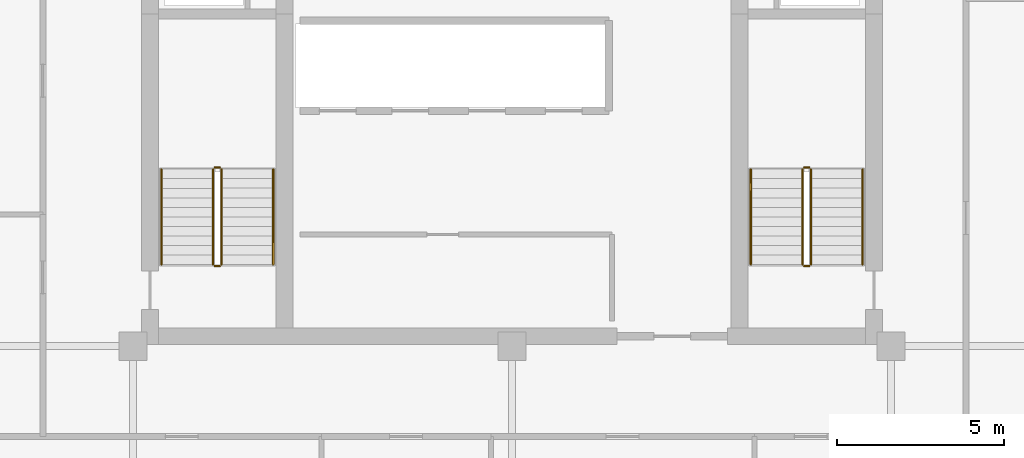
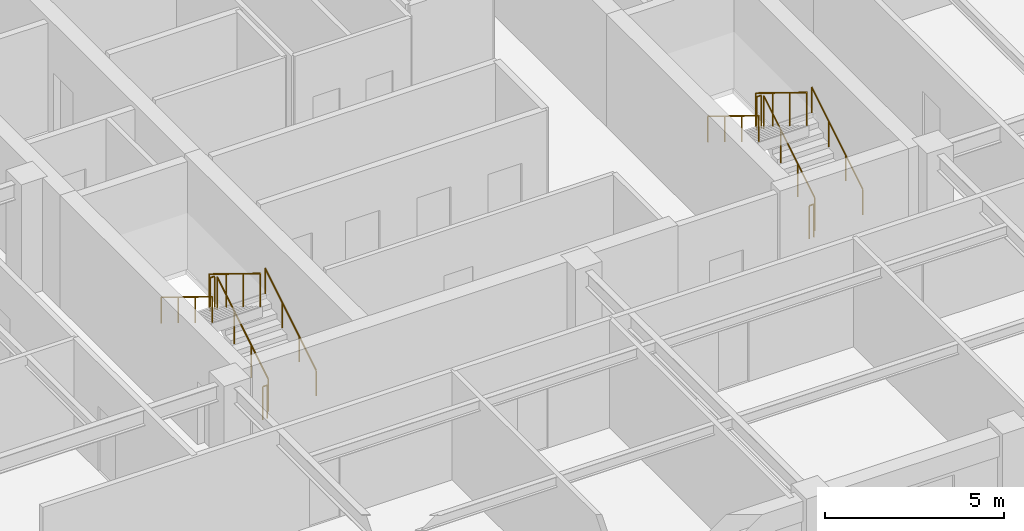
# One storey, part 9 of 9: 12 railings.
"""IFC4 building model written with IfcOpenShell, lengths in metres."""

from ifc_helpers import new_model, si_unit, direction, frame, origin, origin_2d, place, context, subcontext, project, spatial, circle, extrude, material, type_object, element, save


model = new_model("IFC4")

# Units and contexts
model_context = context("Model", 3, precision=1e-05, world=origin(), true_north=direction((0.0, 1.0)))
body_context = subcontext(model_context, "Body", "Model", "MODEL_VIEW")
ifc_project = project(units=[si_unit("LENGTHUNIT", "METRE"), si_unit("AREAUNIT", "SQUARE_METRE"), si_unit("VOLUMEUNIT", "CUBIC_METRE"), si_unit("PLANEANGLEUNIT", "RADIAN"), si_unit("MASSUNIT", "GRAM", prefix="KILO")], contexts=[model_context])

# Site, building, storey
site_placement = place(None, origin())
site = spatial("IfcSite", under=ifc_project, at=site_placement, CompositionType="ELEMENT")
building_placement = place(site_placement, origin())
building = spatial("IfcBuilding", under=site, at=building_placement, Name="Nhamokura Convention Tower", CompositionType="ELEMENT")
storey_placement = place(building_placement, frame((0.0, 0.0, 229.25)))
storey = spatial("IfcBuildingStorey", under=building, at=storey_placement, Name="L56", CompositionType="ELEMENT", Elevation=229.25)

# Railings
ifc_material_1 = material(Name="Anodised bronze stainless steel", Category="steel")
railing_type_1 = type_object("IfcRailingType", Name="StairWallHandrail_900", PredefinedType="HANDRAIL", material=ifc_material_1)
railing_1_placement = place(storey_placement, frame((24.85009765625, 23.10009765625, 0.175048828125)))
element("IfcRailing", 1, at=railing_1_placement, inside=storey, type_object=railing_type_1, Name="L56 ST-01 stair handrail 1", PredefinedType="HANDRAIL", context=body_context, shape_type="SweptSolid", body=[
    extrude(circle(Radius=0.02392578125, at=origin_2d()), frame((0.0, 0.0, 0.8759765625), z_axis=(0.0, 0.852159232446, 0.523282564737), x_axis=(-1.0, 0.0, 0.0)), (0.0, 0.0, 1.0), 3.34423828125),
    extrude(circle(Radius=0.02099609375, at=origin_2d()), origin(), (0.0, 0.0, 1.0), 0.851806640625),
    extrude(circle(Radius=0.02099609375, at=origin_2d()), frame((0.0, 0.949951171875, 0.583251953125)), (0.0, 0.0, 1.0), 0.851806640625),
    extrude(circle(Radius=0.02099609375, at=origin_2d()), frame((0.0, 1.89990234375, 1.166748046875)), (0.0, 0.0, 1.0), 0.851806640625),
    extrude(circle(Radius=0.02099609375, at=origin_2d()), frame((0.0, 2.849853515625, 1.75)), (0.0, 0.0, 1.0), 0.851806640625),
])
railing_2_placement = place(storey_placement, frame((21.5, 25.949951171875, 2.10009765625)))
element("IfcRailing", 2, at=railing_2_placement, inside=storey, type_object=railing_type_1, Name="L56 ST-01 stair handrail 2", PredefinedType="HANDRAIL", context=body_context, shape_type="SweptSolid", body=[
    extrude(circle(Radius=0.02392578125, at=origin_2d()), frame((0.0, 0.0, 0.8759765625), z_axis=(0.0, -0.852159232446, 0.523282564737), x_axis=(1.0, 0.0, 0.0)), (0.0, 0.0, 1.0), 3.34423828125),
    extrude(circle(Radius=0.02099609375, at=origin_2d()), origin(), (0.0, 0.0, 1.0), 0.851806640625),
    extrude(circle(Radius=0.02099609375, at=origin_2d()), frame((0.0, -0.949951171875, 0.583251953125)), (0.0, 0.0, 1.0), 0.851806640625),
    extrude(circle(Radius=0.02099609375, at=origin_2d()), frame((0.0, -1.89990234375, 1.166748046875)), (0.0, 0.0, 1.0), 0.851806640625),
    extrude(circle(Radius=0.02099609375, at=origin_2d()), frame((0.0, -2.849853515625, 1.75)), (0.0, 0.0, 1.0), 0.851806640625),
])
railing_3_placement = place(storey_placement, frame((42.5, 23.10009765625, 0.175048828125)))
element("IfcRailing", 3, at=railing_3_placement, inside=storey, type_object=railing_type_1, Name="L56 ST-02 stair handrail 1", PredefinedType="HANDRAIL", context=body_context, shape_type="SweptSolid", body=[
    extrude(circle(Radius=0.02392578125, at=origin_2d()), frame((0.0, 0.0, 0.8759765625), z_axis=(0.0, 0.852159232446, 0.523282564737), x_axis=(-1.0, 0.0, 0.0)), (0.0, 0.0, 1.0), 3.34423828125),
    extrude(circle(Radius=0.02099609375, at=origin_2d()), origin(), (0.0, 0.0, 1.0), 0.851806640625),
    extrude(circle(Radius=0.02099609375, at=origin_2d()), frame((0.0, 0.949951171875, 0.583251953125)), (0.0, 0.0, 1.0), 0.851806640625),
    extrude(circle(Radius=0.02099609375, at=origin_2d()), frame((0.0, 1.89990234375, 1.166748046875)), (0.0, 0.0, 1.0), 0.851806640625),
    extrude(circle(Radius=0.02099609375, at=origin_2d()), frame((0.0, 2.849853515625, 1.75)), (0.0, 0.0, 1.0), 0.851806640625),
])
railing_4_placement = place(storey_placement, frame((39.14990234375, 25.949951171875, 2.10009765625)))
element("IfcRailing", 4, at=railing_4_placement, inside=storey, type_object=railing_type_1, Name="L56 ST-02 stair handrail 2", PredefinedType="HANDRAIL", context=body_context, shape_type="SweptSolid", body=[
    extrude(circle(Radius=0.02392578125, at=origin_2d()), frame((0.0, 0.0, 0.8759765625), z_axis=(0.0, -0.852159232446, 0.523282564737), x_axis=(1.0, 0.0, 0.0)), (0.0, 0.0, 1.0), 3.34423828125),
    extrude(circle(Radius=0.02099609375, at=origin_2d()), origin(), (0.0, 0.0, 1.0), 0.851806640625),
    extrude(circle(Radius=0.02099609375, at=origin_2d()), frame((0.0, -0.949951171875, 0.583251953125)), (0.0, 0.0, 1.0), 0.851806640625),
    extrude(circle(Radius=0.02099609375, at=origin_2d()), frame((0.0, -1.89990234375, 1.166748046875)), (0.0, 0.0, 1.0), 0.851806640625),
    extrude(circle(Radius=0.02099609375, at=origin_2d()), frame((0.0, -2.849853515625, 1.75)), (0.0, 0.0, 1.0), 0.851806640625),
])
ifc_material_2 = material(Name="Painted tubular steel", Category="steel")
railing_type_2 = type_object("IfcRailingType", Name="StairWellGuardrail_1150", PredefinedType="GUARDRAIL", material=ifc_material_2)
railing_5_placement = place(storey_placement, frame((23.300048828125, 23.10009765625, 0.175048828125)))
element("IfcRailing", 5, at=railing_5_placement, inside=storey, type_object=railing_type_2, Name="L56 ST-01 stair guard 1", PredefinedType="GUARDRAIL", context=body_context, shape_type="SweptSolid", body=[
    extrude(circle(Radius=0.02392578125, at=origin_2d()), frame((0.0, 0.0, 1.1259765625), z_axis=(0.0, 0.852159232446, 0.523282564737), x_axis=(-1.0, 0.0, 0.0)), (0.0, 0.0, 1.0), 3.34423828125),
    extrude(circle(Radius=0.02099609375, at=origin_2d()), origin(), (0.0, 0.0, 1.0), 1.101806640625),
    extrude(circle(Radius=0.02099609375, at=origin_2d()), frame((0.0, 0.949951171875, 0.583251953125)), (0.0, 0.0, 1.0), 1.101806640625),
    extrude(circle(Radius=0.02099609375, at=origin_2d()), frame((0.0, 1.89990234375, 1.166748046875)), (0.0, 0.0, 1.0), 1.101806640625),
    extrude(circle(Radius=0.02099609375, at=origin_2d()), frame((0.0, 2.849853515625, 1.75)), (0.0, 0.0, 1.0), 1.101806640625),
])
railing_6_placement = place(storey_placement, frame((23.25, 26.0, 1.925048828125)))
element("IfcRailing", 6, at=railing_6_placement, inside=storey, type_object=railing_type_2, Name="L56 ST-01 stair guard 2", PredefinedType="GUARDRAIL", context=body_context, shape_type="SweptSolid", body=[
    extrude(circle(Radius=0.02392578125, at=origin_2d()), frame((0.0, 0.0, 1.1259765625), z_axis=(-1.0, 0.0, 0.0), x_axis=(0.0, -1.0, 0.0)), (0.0, 0.0, 1.0), 0.14990234375),
    extrude(circle(Radius=0.02099609375, at=origin_2d()), origin(), (0.0, 0.0, 1.0), 1.101806640625),
    extrude(circle(Radius=0.02099609375, at=origin_2d()), frame((-0.14990234375, 0.0, 0.0)), (0.0, 0.0, 1.0), 1.101806640625),
])
railing_7_placement = place(storey_placement, frame((23.050048828125, 25.949951171875, 2.10009765625)))
element("IfcRailing", 7, at=railing_7_placement, inside=storey, type_object=railing_type_2, Name="L56 ST-01 stair guard 3", PredefinedType="GUARDRAIL", context=body_context, shape_type="SweptSolid", body=[
    extrude(circle(Radius=0.02392578125, at=origin_2d()), frame((0.0, 0.0, 1.1259765625), z_axis=(0.0, -0.852159232446, 0.523282564737), x_axis=(1.0, 0.0, 0.0)), (0.0, 0.0, 1.0), 3.34423828125),
    extrude(circle(Radius=0.02099609375, at=origin_2d()), origin(), (0.0, 0.0, 1.0), 1.101806640625),
    extrude(circle(Radius=0.02099609375, at=origin_2d()), frame((0.0, -0.949951171875, 0.583251953125)), (0.0, 0.0, 1.0), 1.101806640625),
    extrude(circle(Radius=0.02099609375, at=origin_2d()), frame((0.0, -1.89990234375, 1.166748046875)), (0.0, 0.0, 1.0), 1.101806640625),
    extrude(circle(Radius=0.02099609375, at=origin_2d()), frame((0.0, -2.849853515625, 1.75)), (0.0, 0.0, 1.0), 1.101806640625),
])
railing_8_placement = place(storey_placement, frame((23.25, 23.050048828125, 0.0)))
element("IfcRailing", 8, at=railing_8_placement, inside=storey, type_object=railing_type_2, Name="L56 ST-01 stair guard 4", PredefinedType="GUARDRAIL", context=body_context, shape_type="SweptSolid", body=[
    extrude(circle(Radius=0.02392578125, at=origin_2d()), frame((0.0, 0.0, 1.1259765625), z_axis=(-1.0, 0.0, 0.0), x_axis=(0.0, -1.0, 0.0)), (0.0, 0.0, 1.0), 0.14990234375),
    extrude(circle(Radius=0.02099609375, at=origin_2d()), origin(), (0.0, 0.0, 1.0), 1.101806640625),
    extrude(circle(Radius=0.02099609375, at=origin_2d()), frame((-0.14990234375, 0.0, 0.0)), (0.0, 0.0, 1.0), 1.101806640625),
])
railing_9_placement = place(storey_placement, frame((40.949951171875, 23.10009765625, 0.175048828125)))
element("IfcRailing", 9, at=railing_9_placement, inside=storey, type_object=railing_type_2, Name="L56 ST-02 stair guard 1", PredefinedType="GUARDRAIL", context=body_context, shape_type="SweptSolid", body=[
    extrude(circle(Radius=0.02392578125, at=origin_2d()), frame((0.0, 0.0, 1.1259765625), z_axis=(0.0, 0.852159232446, 0.523282564737), x_axis=(-1.0, 0.0, 0.0)), (0.0, 0.0, 1.0), 3.34423828125),
    extrude(circle(Radius=0.02099609375, at=origin_2d()), origin(), (0.0, 0.0, 1.0), 1.101806640625),
    extrude(circle(Radius=0.02099609375, at=origin_2d()), frame((0.0, 0.949951171875, 0.583251953125)), (0.0, 0.0, 1.0), 1.101806640625),
    extrude(circle(Radius=0.02099609375, at=origin_2d()), frame((0.0, 1.89990234375, 1.166748046875)), (0.0, 0.0, 1.0), 1.101806640625),
    extrude(circle(Radius=0.02099609375, at=origin_2d()), frame((0.0, 2.849853515625, 1.75)), (0.0, 0.0, 1.0), 1.101806640625),
])
railing_10_placement = place(storey_placement, frame((40.89990234375, 26.0, 1.925048828125)))
element("IfcRailing", 10, at=railing_10_placement, inside=storey, type_object=railing_type_2, Name="L56 ST-02 stair guard 2", PredefinedType="GUARDRAIL", context=body_context, shape_type="SweptSolid", body=[
    extrude(circle(Radius=0.02392578125, at=origin_2d()), frame((0.0, 0.0, 1.1259765625), z_axis=(-1.0, 0.0, 0.0), x_axis=(0.0, -1.0, 0.0)), (0.0, 0.0, 1.0), 0.14990234375),
    extrude(circle(Radius=0.02099609375, at=origin_2d()), origin(), (0.0, 0.0, 1.0), 1.101806640625),
    extrude(circle(Radius=0.02099609375, at=origin_2d()), frame((-0.14990234375, 0.0, 0.0)), (0.0, 0.0, 1.0), 1.101806640625),
])
railing_11_placement = place(storey_placement, frame((40.699951171875, 25.949951171875, 2.10009765625)))
element("IfcRailing", 11, at=railing_11_placement, inside=storey, type_object=railing_type_2, Name="L56 ST-02 stair guard 3", PredefinedType="GUARDRAIL", context=body_context, shape_type="SweptSolid", body=[
    extrude(circle(Radius=0.02392578125, at=origin_2d()), frame((0.0, 0.0, 1.1259765625), z_axis=(0.0, -0.852159232446, 0.523282564737), x_axis=(1.0, 0.0, 0.0)), (0.0, 0.0, 1.0), 3.34423828125),
    extrude(circle(Radius=0.02099609375, at=origin_2d()), origin(), (0.0, 0.0, 1.0), 1.101806640625),
    extrude(circle(Radius=0.02099609375, at=origin_2d()), frame((0.0, -0.949951171875, 0.583251953125)), (0.0, 0.0, 1.0), 1.101806640625),
    extrude(circle(Radius=0.02099609375, at=origin_2d()), frame((0.0, -1.89990234375, 1.166748046875)), (0.0, 0.0, 1.0), 1.101806640625),
    extrude(circle(Radius=0.02099609375, at=origin_2d()), frame((0.0, -2.849853515625, 1.75)), (0.0, 0.0, 1.0), 1.101806640625),
])
railing_12_placement = place(storey_placement, frame((40.89990234375, 23.050048828125, 0.0)))
element("IfcRailing", 12, at=railing_12_placement, inside=storey, type_object=railing_type_2, Name="L56 ST-02 stair guard 4", PredefinedType="GUARDRAIL", context=body_context, shape_type="SweptSolid", body=[
    extrude(circle(Radius=0.02392578125, at=origin_2d()), frame((0.0, 0.0, 1.1259765625), z_axis=(-1.0, 0.0, 0.0), x_axis=(0.0, -1.0, 0.0)), (0.0, 0.0, 1.0), 0.14990234375),
    extrude(circle(Radius=0.02099609375, at=origin_2d()), origin(), (0.0, 0.0, 1.0), 1.101806640625),
    extrude(circle(Radius=0.02099609375, at=origin_2d()), frame((-0.14990234375, 0.0, 0.0)), (0.0, 0.0, 1.0), 1.101806640625),
])

save(model, "model.ifc")
